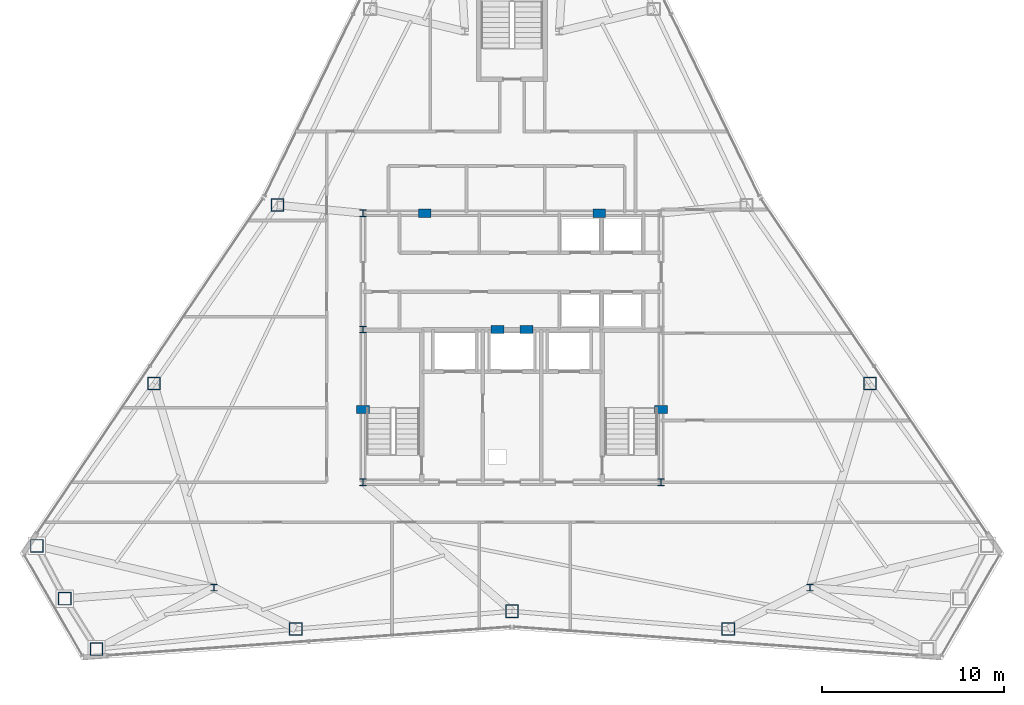
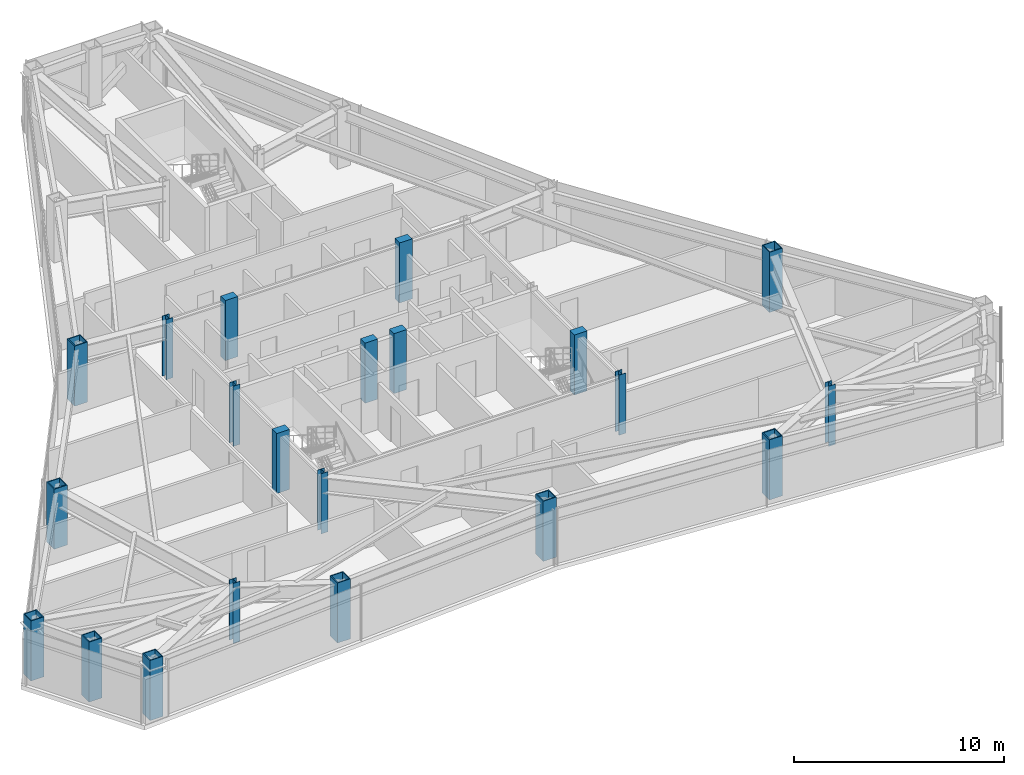
# One storey, part 1 of 12: 21 columns.
"""IFC4 building model written with IfcOpenShell, lengths in metres."""

from ifc_helpers import new_model, si_unit, direction, frame, origin, origin_2d, place, context, subcontext, project, spatial, rectangle, hollow_rectangle, i_section, extrude, material, material_profile, profile_set, type_object, element, save


model = new_model("IFC4")

# Units and contexts
model_context = context("Model", 3, precision=1e-05, world=origin(), true_north=direction((0.0, 1.0)))
body_context = subcontext(model_context, "Body", "Model", "MODEL_VIEW")
ifc_project = project(units=[si_unit("LENGTHUNIT", "METRE"), si_unit("AREAUNIT", "SQUARE_METRE"), si_unit("VOLUMEUNIT", "CUBIC_METRE"), si_unit("PLANEANGLEUNIT", "RADIAN"), si_unit("MASSUNIT", "GRAM", prefix="KILO")], contexts=[model_context])

# Site, building, storey
site_placement = place(None, origin())
site = spatial("IfcSite", under=ifc_project, at=site_placement, CompositionType="ELEMENT")
building_placement = place(site_placement, origin())
building = spatial("IfcBuilding", under=site, at=building_placement, Name="Varakhsha Concourse Tower", CompositionType="ELEMENT")
storey_placement = place(building_placement, frame((0.0, 0.0, 208.39990234375)))
storey = spatial("IfcBuildingStorey", under=building, at=storey_placement, Name="L59", CompositionType="ELEMENT", Elevation=208.39990234375)

# Columns
ifc_material_1 = material(Name="Structural Steel ASTM A992 Grade 50", Category="steel")
ifc_material_profile_1 = material_profile(ifc_material_1, i_section(OverallWidth=0.3740234375, OverallDepth=0.3720703125, WebThickness=0.01611328125, FlangeThickness=0.02587890625, at=origin_2d()), Name="W14X132")
ifc_profile_set_1 = profile_set([ifc_material_profile_1], Name="Structural Steel ASTM A992 Grade 50")
column_type_1 = type_object("IfcColumnType", Name="CL-CORE-W14X132", PredefinedType="COLUMN", material=ifc_profile_set_1)
for number, where, z_axis, x_axis, name in (
    (1, (31.800048828125, 16.39990234375, 0.0), (0.0, 0.0, 1.0), (1.0, 0.0, 0.0), "L59 Core Column CC-SW"),
    (2, (48.199951171875, 16.39990234375, 0.0), (0.0, 0.0, 1.0), (1.0, 0.0, 0.0), "L59 Core Column CC-SE"),
    (3, (31.800048828125, 24.800048828125, 0.0), (0.0, 0.0, 1.0), (1.0, 0.0, 0.0), "L59 Core Column CC-MW"),
    (4, (31.800048828125, 31.199951171875, 0.0), (0.0, 0.0, 1.0), (1.0, 0.0, 0.0), "L59 Core Column CC-NW"),
    (5, (23.60009765625, 10.60009765625, 0.0), (0.0, 0.0, 1.0), (1.0, 0.0, 0.0), "L59 Core Column SS-W"),
    (6, (56.39990234375, 10.60009765625, 0.0), (0.0, 0.0, 1.0), (1.0, 0.0, 0.0), "L59 Core Column SS-E"),
):
    element("IfcColumn", number, at=place(storey_placement, frame(where, z_axis=z_axis, x_axis=x_axis)), inside=storey, type_object=column_type_1, Name=name, PredefinedType="COLUMN", context=body_context, shape_type="SweptSolid", body=[
        extrude(i_section(OverallWidth=0.3740234375, OverallDepth=0.3720703125, WebThickness=0.01611328125, FlangeThickness=0.02587890625, at=origin_2d()), origin(), (0.0, 0.0, 1.0), 3.5),
    ])
ifc_material_2 = material(Name="Concrete fc 65 MPa", Category="concrete")
ifc_material_profile_2 = material_profile(ifc_material_2, rectangle(XDim=0.699951171875, YDim=0.449951171875, at=origin_2d()), Name="RC 700x450")
ifc_profile_set_2 = profile_set([ifc_material_profile_2], Name="Concrete fc 65 MPa")
column_type_2 = type_object("IfcColumnType", Name="CL-PIL-700X450", PredefinedType="PILASTER", material=ifc_profile_set_2)
for number, where, z_axis, x_axis, name in (
    (7, (31.800048828125, 20.39990234375, 0.0), (0.0, 0.0, 1.0), (1.0, 0.0, 0.0), "L59 Core Boundary Pilaster PIL-W1"),
    (8, (48.199951171875, 20.39990234375, 0.0), (0.0, 0.0, 1.0), (1.0, 0.0, 0.0), "L59 Core Boundary Pilaster PIL-E1"),
    (9, (35.199951171875, 31.199951171875, 0.0), (0.0, 0.0, 1.0), (1.0, 0.0, 0.0), "L59 Core Boundary Pilaster PIL-N1"),
    (10, (44.800048828125, 31.199951171875, 0.0), (0.0, 0.0, 1.0), (1.0, 0.0, 0.0), "L59 Core Boundary Pilaster PIL-N2"),
    (11, (39.199951171875, 24.800048828125, 0.0), (0.0, 0.0, 1.0), (1.0, 0.0, 0.0), "L59 Core Boundary Pilaster PIL-M1"),
    (12, (40.800048828125, 24.800048828125, 0.0), (0.0, 0.0, 1.0), (1.0, 0.0, 0.0), "L59 Core Boundary Pilaster PIL-M2"),
):
    element("IfcColumn", number, at=place(storey_placement, frame(where, z_axis=z_axis, x_axis=x_axis)), inside=storey, type_object=column_type_2, Name=name, PredefinedType="PILASTER", context=body_context, shape_type="SweptSolid", body=[
        extrude(rectangle(XDim=0.699951171875, YDim=0.449951171875, at=origin_2d()), origin(), (0.0, 0.0, 1.0), 3.5),
    ])
ifc_material_3 = material(Name="Structural Steel ASTM A572 Grade 50", Category="steel")
ifc_material_profile_3 = material_profile(ifc_material_3, hollow_rectangle(XDim=0.719970703125, YDim=0.719970703125, WallThickness=0.050048828125, at=origin_2d()), Name="BOX 720x720x50")
ifc_profile_set_3 = profile_set([ifc_material_profile_3], Name="Structural Steel ASTM A572 Grade 50")
column_type_3 = type_object("IfcColumnType", Name="CL-TUBE-720", PredefinedType="COLUMN", material=ifc_profile_set_3)
for number, where, z_axis, x_axis, name in (
    (13, (27.09375, 31.651611328125, 0.0), (0.0, 0.0, 1.0), (1.0, 0.0, 0.0), "L59 Framed-Tube Column TC05"),
    (14, (20.301513671875, 21.833740234375, 0.0), (0.0, 0.0, 1.0), (1.0, 0.0, 0.0), "L59 Framed-Tube Column TC06"),
    (15, (13.856201171875, 12.897216796875, 0.0), (0.0, 0.0, 1.0), (1.0, 0.0, 0.0), "L59 Framed-Tube Column TC07"),
    (16, (15.389404296875, 9.9912109375, 0.0), (0.0, 0.0, 1.0), (1.0, 0.0, 0.0), "L59 Framed-Tube Column TC08"),
    (17, (17.1396484375, 7.210205078125, 0.0), (0.0, 0.0, 1.0), (1.0, 0.0, 0.0), "L59 Framed-Tube Column TC09"),
    (18, (28.1015625, 8.323486328125, 0.0), (0.0, 0.0, 1.0), (1.0, 0.0, 0.0), "L59 Framed-Tube Column TC10"),
    (19, (40.0, 9.297119140625, 0.0), (0.0, 0.0, 1.0), (1.0, 0.0, 0.0), "L59 Framed-Tube Column TC11"),
    (20, (51.8984375, 8.323486328125, 0.0), (0.0, 0.0, 1.0), (1.0, 0.0, 0.0), "L59 Framed-Tube Column TC12"),
    (21, (59.698486328125, 21.833740234375, 0.0), (0.0, 0.0, 1.0), (1.0, 0.0, 0.0), "L59 Framed-Tube Column TC16"),
):
    element("IfcColumn", number, at=place(storey_placement, frame(where, z_axis=z_axis, x_axis=x_axis)), inside=storey, type_object=column_type_3, Name=name, PredefinedType="COLUMN", context=body_context, shape_type="SweptSolid", body=[
        extrude(hollow_rectangle(XDim=0.719970703125, YDim=0.719970703125, WallThickness=0.050048828125, at=origin_2d()), origin(), (0.0, 0.0, 1.0), 3.5),
    ])

save(model, "model.ifc")
